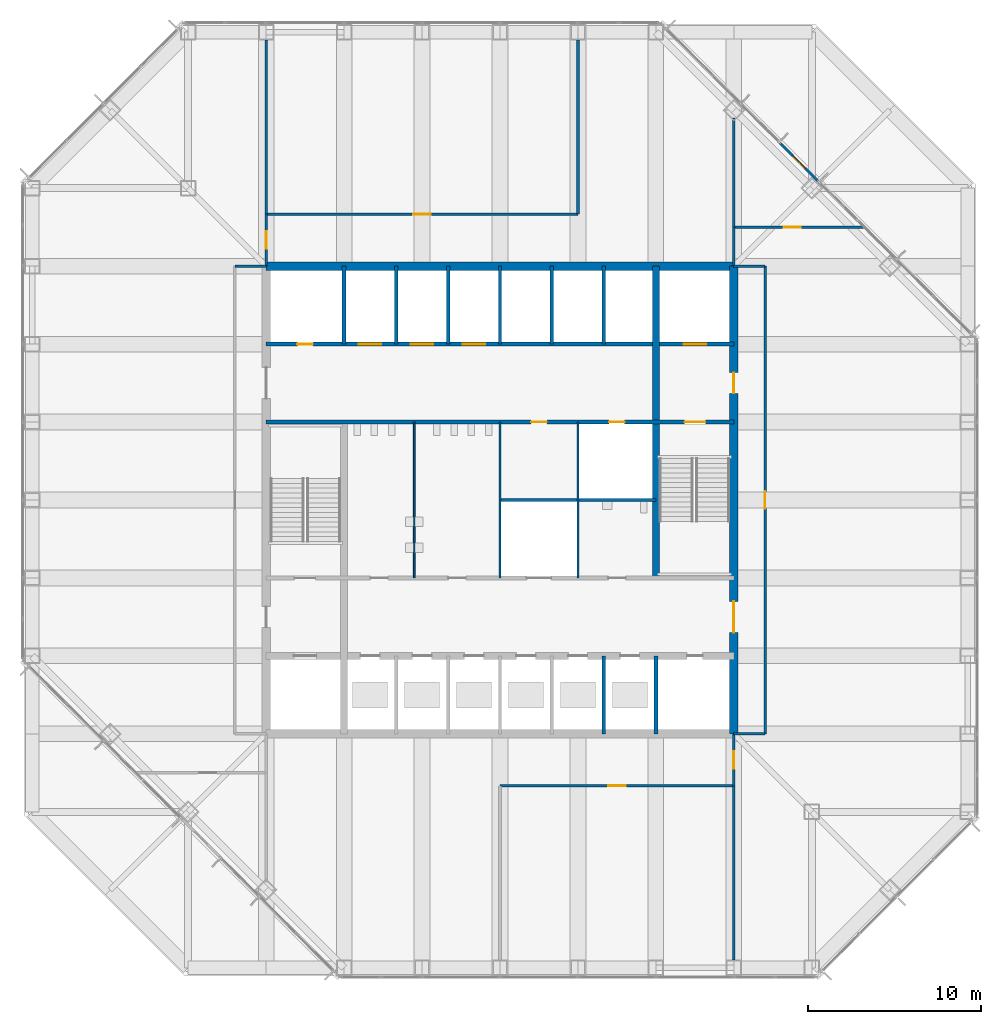
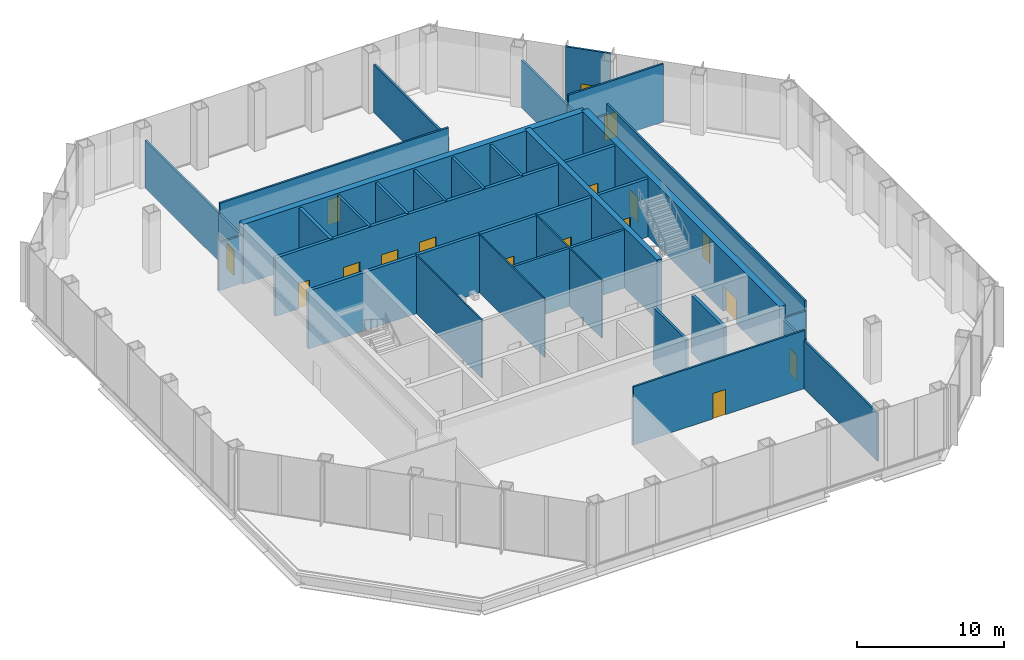
# One storey, part 8 of 12: 32 walls, 17 doors, 17 openings.
"""IFC4 building model written with IfcOpenShell, lengths in metres."""

from ifc_helpers import new_model, si_unit, direction, frame, frame_2d, origin, place, context, subcontext, project, spatial, rectangle, extrude, material, layer, layer_set, type_object, element, fill, save


model = new_model("IFC4")

# Units and contexts
model_context = context("Model", 3, precision=1e-05, world=origin(), true_north=direction((0.0, 1.0)))
body_context = subcontext(model_context, "Body", "Model", "MODEL_VIEW")
ifc_project = project(units=[si_unit("LENGTHUNIT", "METRE"), si_unit("AREAUNIT", "SQUARE_METRE"), si_unit("VOLUMEUNIT", "CUBIC_METRE"), si_unit("PLANEANGLEUNIT", "RADIAN"), si_unit("MASSUNIT", "GRAM", prefix="KILO")], contexts=[model_context])

# Site, building, storey
site_placement = place(None, origin())
site = spatial("IfcSite", under=ifc_project, at=site_placement, CompositionType="ELEMENT")
building_placement = place(site_placement, origin())
building = spatial("IfcBuilding", under=site, at=building_placement, Name="Corais Broadcast Tower", CompositionType="ELEMENT")
storey_placement = place(building_placement, frame((0.0, 0.0, 110.60009765625)))
storey = spatial("IfcBuildingStorey", under=building, at=storey_placement, Name="L24", CompositionType="ELEMENT", Elevation=110.60009765625)

# Walls
ifc_material_1 = material(Name="Concrete blockwork class A, grouted, two-hour", Category="masonry")
ifc_layer_1 = layer(ifc_material_1, 0.25)
ifc_layer_set_1 = layer_set([ifc_layer_1], Name="Concrete blockwork class A, grouted, two-hour")
wall_type_1 = type_object("IfcWallType", Name="Core lobby wall 250", PredefinedType="SOLIDWALL", material=ifc_layer_set_1)
for number, where, z_axis, x_axis, name in (
    (1, (18.0, 36.0, 0.0), (0.0, 0.0, 1.0), (0.0, 1.0, 0.0), "CL2 core shaft wall X18B L24"),
    (2, (36.0, 13.5, 0.0), (0.0, 0.0, 1.0), (0.0, 1.0, 0.0), "CL2 core shaft wall X36A L24"),
):
    element("IfcWall", number, at=place(storey_placement, frame(where, z_axis=z_axis, x_axis=x_axis)), inside=storey, type_object=wall_type_1, Name=name, PredefinedType="SOLIDWALL", context=body_context, shape_type="SweptSolid", body=[
        extrude(rectangle(XDim=4.5, YDim=0.25, at=frame_2d((2.25, 0.0))), origin(), (0.0, 0.0, 1.0), 4.83984375),
    ])

# Wall, openings, doors
wall_1_placement = place(storey_placement, frame((13.5, 31.5, 0.0), z_axis=(0.0, 0.0, 1.0), x_axis=(1.0, 0.0, 0.0)))
wall_1 = element("IfcWall", 3, at=wall_1_placement, inside=storey, type_object=wall_type_1, Name="CL2 core lobby wall Y315 L24", PredefinedType="SOLIDWALL", context=body_context, shape_type="SweptSolid", body=[
    extrude(rectangle(XDim=27.0, YDim=0.25, at=frame_2d((13.5, 0.0))), origin(), (0.0, 0.0, 1.0), 4.83984375),
])
opening_1_placement = place(wall_1_placement, frame((24.14990234375, 0.0, 0.0)))
opening_1 = element("IfcOpeningElement", 4, at=opening_1_placement, cuts=wall_1, Name="Opening FD1", PredefinedType="OPENING", context=body_context, shape_type="SweptSolid", body=[
    extrude(rectangle(XDim=1.199951171875, YDim=2.10009765625, at=frame_2d((0.60009765625, 1.050048828125))), frame((0.0, 0.135009765625, 0.0), z_axis=(0.0, -1.0, 0.0), x_axis=(1.0, 0.0, 0.0)), (0.0, 0.0, 1.0), 0.27001953125),
])
opening_2_placement = place(wall_1_placement, frame((15.300048828125, 0.0, 0.0)))
opening_2 = element("IfcOpeningElement", 5, at=opening_2_placement, cuts=wall_1, Name="Opening RD1", PredefinedType="OPENING", context=body_context, shape_type="SweptSolid", body=[
    extrude(rectangle(XDim=0.89990234375, YDim=2.10009765625, at=frame_2d((0.449951171875, 1.050048828125))), frame((0.0, 0.135009765625, 0.0), z_axis=(0.0, -1.0, 0.0), x_axis=(1.0, 0.0, 0.0)), (0.0, 0.0, 1.0), 0.27001953125),
])
opening_3_placement = place(wall_1_placement, frame((19.800048828125, 0.0, 0.0)))
opening_3 = element("IfcOpeningElement", 6, at=opening_3_placement, cuts=wall_1, Name="Opening RD1", PredefinedType="OPENING", context=body_context, shape_type="SweptSolid", body=[
    extrude(rectangle(XDim=0.89990234375, YDim=2.10009765625, at=frame_2d((0.449951171875, 1.050048828125))), frame((0.0, 0.135009765625, 0.0), z_axis=(0.0, -1.0, 0.0), x_axis=(1.0, 0.0, 0.0)), (0.0, 0.0, 1.0), 0.27001953125),
])
ifc_material_2 = material(Name="Steel fire door", Category="steel")
door_type_1 = type_object("IfcDoorType", Name="Fire door 1200x2100", OperationType="SINGLE_SWING_LEFT", PredefinedType="DOOR", material=ifc_material_2)
door_1_placement = place(opening_1_placement, origin())
door_1 = element("IfcDoor", 7, at=door_1_placement, inside=storey, type_object=door_type_1, Name="FD1 stair B door L24", OperationType="SINGLE_SWING_RIGHT", OverallHeight=2.10009765625, OverallWidth=1.199951171875, PredefinedType="DOOR", context=body_context, shape_type="SweptSolid", body=[
    extrude(rectangle(XDim=1.199951171875, YDim=2.10009765625, at=frame_2d((0.60009765625, 1.050048828125))), frame((0.0, 0.02490234375, 0.0), z_axis=(0.0, -1.0, 0.0), x_axis=(1.0, 0.0, 0.0)), (0.0, 0.0, 1.0), 0.050048828125),
])
fill(opening_1, door_1)
ifc_material_3 = material(Name="Steel fire door", Category="steel")
door_type_2 = type_object("IfcDoorType", Name="Riser door 900x2100", OperationType="SINGLE_SWING_LEFT", PredefinedType="DOOR", material=ifc_material_3)
door_2_placement = place(opening_2_placement, origin())
door_2 = element("IfcDoor", 8, at=door_2_placement, inside=storey, type_object=door_type_2, Name="RD1 vending room door L24", OperationType="SINGLE_SWING_RIGHT", OverallHeight=2.10009765625, OverallWidth=0.89990234375, PredefinedType="DOOR", context=body_context, shape_type="SweptSolid", body=[
    extrude(rectangle(XDim=0.89990234375, YDim=2.10009765625, at=frame_2d((0.449951171875, 1.050048828125))), frame((0.0, 0.02490234375, 0.0), z_axis=(0.0, -1.0, 0.0), x_axis=(1.0, 0.0, 0.0)), (0.0, 0.0, 1.0), 0.050048828125),
])
fill(opening_2, door_2)
door_3_placement = place(opening_3_placement, origin())
door_3 = element("IfcDoor", 9, at=door_3_placement, inside=storey, type_object=door_type_2, Name="RD1 riser door L24", OperationType="SINGLE_SWING_RIGHT", OverallHeight=2.10009765625, OverallWidth=0.89990234375, PredefinedType="DOOR", context=body_context, shape_type="SweptSolid", body=[
    extrude(rectangle(XDim=0.89990234375, YDim=2.10009765625, at=frame_2d((0.449951171875, 1.050048828125))), frame((0.0, 0.02490234375, 0.0), z_axis=(0.0, -1.0, 0.0), x_axis=(1.0, 0.0, 0.0)), (0.0, 0.0, 1.0), 0.050048828125),
])
fill(opening_3, door_3)

# Wall
ifc_material_4 = material(Name="Concrete C50/60", Category="concrete")
ifc_layer_2 = layer(ifc_material_4, 0.39990234375)
ifc_layer_set_2 = layer_set([ifc_layer_2], Name="Concrete C50/60")
wall_type_2 = type_object("IfcWallType", Name="Core wall 400", PredefinedType="SHEAR", material=ifc_layer_set_2)
wall_2_placement = place(storey_placement, frame((36.0, 22.5, 0.0), z_axis=(0.0, 0.0, 1.0), x_axis=(0.0, 1.0, 0.0)))
element("IfcWall", 10, at=wall_2_placement, inside=storey, type_object=wall_type_2, Name="CR400 core wall X36B L24", PredefinedType="SHEAR", context=body_context, shape_type="SweptSolid", body=[
    extrude(rectangle(XDim=18.0, YDim=0.39990234375, at=frame_2d((9.0, 0.0))), origin(), (0.0, 0.0, 1.0), 5.0),
])

# Wall, openings, doors
ifc_material_5 = material(Name="Concrete C50/60", Category="concrete")
ifc_layer_3 = layer(ifc_material_5, 0.5)
ifc_layer_set_3 = layer_set([ifc_layer_3], Name="Concrete C50/60")
wall_type_3 = type_object("IfcWallType", Name="Core wall 500", PredefinedType="SHEAR", material=ifc_layer_set_3)
wall_3_placement = place(storey_placement, frame((40.5, 13.5, 0.0), z_axis=(0.0, 0.0, 1.0), x_axis=(0.0, 1.0, 0.0)))
wall_3 = element("IfcWall", 11, at=wall_3_placement, inside=storey, type_object=wall_type_3, Name="CR500 core wall E L24", PredefinedType="SHEAR", context=body_context, shape_type="SweptSolid", body=[
    extrude(rectangle(XDim=27.0, YDim=0.5, at=frame_2d((13.5, 0.0))), origin(), (0.0, 0.0, 1.0), 5.0),
])
opening_4_placement = place(wall_3_placement, frame((5.85009765625, 0.0, 0.0)))
opening_4 = element("IfcOpeningElement", 12, at=opening_4_placement, cuts=wall_3, Name="Opening FD2", PredefinedType="OPENING", context=body_context, shape_type="SweptSolid", body=[
    extrude(rectangle(XDim=1.800048828125, YDim=2.10009765625, at=frame_2d((0.89990234375, 1.050048828125))), frame((0.0, 0.260009765625, 0.0), z_axis=(0.0, -1.0, 0.0), x_axis=(1.0, 0.0, 0.0)), (0.0, 0.0, 1.0), 0.52001953125),
])
opening_5_placement = place(wall_3_placement, frame((19.64990234375, 0.0, 0.0)))
opening_5 = element("IfcOpeningElement", 13, at=opening_5_placement, cuts=wall_3, Name="Opening FD1", PredefinedType="OPENING", context=body_context, shape_type="SweptSolid", body=[
    extrude(rectangle(XDim=1.199951171875, YDim=2.10009765625, at=frame_2d((0.60009765625, 1.050048828125))), frame((0.0, 0.260009765625, 0.0), z_axis=(0.0, -1.0, 0.0), x_axis=(1.0, 0.0, 0.0)), (0.0, 0.0, 1.0), 0.52001953125),
])
door_4_placement = place(opening_5_placement, origin())
door_4 = element("IfcDoor", 14, at=door_4_placement, inside=storey, type_object=door_type_1, Name="FD1 fire lobby B door L24", OperationType="SINGLE_SWING_RIGHT", OverallHeight=2.10009765625, OverallWidth=1.199951171875, PredefinedType="DOOR", context=body_context, shape_type="SweptSolid", body=[
    extrude(rectangle(XDim=1.199951171875, YDim=2.10009765625, at=frame_2d((0.60009765625, 1.050048828125))), frame((0.0, 0.02490234375, 0.0), z_axis=(0.0, -1.0, 0.0), x_axis=(1.0, 0.0, 0.0)), (0.0, 0.0, 1.0), 0.050048828125),
])
fill(opening_5, door_4)
ifc_material_6 = material(Name="Steel fire door", Category="steel")
door_type_3 = type_object("IfcDoorType", Name="Fire door pair 1800x2100", OperationType="DOUBLE_DOOR_SINGLE_SWING", PredefinedType="DOOR", material=ifc_material_6)
door_5_placement = place(opening_4_placement, origin())
door_5 = element("IfcDoor", 15, at=door_5_placement, inside=storey, type_object=door_type_3, Name="FD2 lift lobby door L24", OperationType="SINGLE_SWING_LEFT", OverallHeight=2.10009765625, OverallWidth=1.800048828125, PredefinedType="DOOR", context=body_context, shape_type="SweptSolid", body=[
    extrude(rectangle(XDim=1.800048828125, YDim=2.10009765625, at=frame_2d((0.89990234375, 1.050048828125))), frame((0.0, 0.02490234375, 0.0), z_axis=(0.0, -1.0, 0.0), x_axis=(1.0, 0.0, 0.0)), (0.0, 0.0, 1.0), 0.050048828125),
])
fill(opening_4, door_5)

# Wall
wall_4_placement = place(storey_placement, frame((40.5, 40.5, 0.0), z_axis=(0.0, 0.0, 1.0), x_axis=(-1.0, 0.0, 0.0)))
element("IfcWall", 16, at=wall_4_placement, inside=storey, type_object=wall_type_3, Name="CR500 core wall N L24", PredefinedType="SHEAR", context=body_context, shape_type="SweptSolid", body=[
    extrude(rectangle(XDim=27.0, YDim=0.5, at=frame_2d((13.5, 0.0))), origin(), (0.0, 0.0, 1.0), 5.0),
])

# Wall, openings, doors
ifc_material_7 = material(Name="Concrete blockwork class A, grouted, four-hour", Category="masonry")
ifc_layer_4 = layer(ifc_material_7, 0.25)
ifc_layer_set_4 = layer_set([ifc_layer_4], Name="Concrete blockwork class A, grouted, four-hour")
wall_type_4 = type_object("IfcWallType", Name="Emergency lift shaft wall 250", PredefinedType="SOLIDWALL", material=ifc_layer_set_4)
wall_5_placement = place(storey_placement, frame((13.5, 36.0, 0.0), z_axis=(0.0, 0.0, 1.0), x_axis=(1.0, 0.0, 0.0)))
wall_5 = element("IfcWall", 17, at=wall_5_placement, inside=storey, type_object=wall_type_4, Name="LS2 core lobby wall Y36 L24", PredefinedType="SOLIDWALL", context=body_context, shape_type="SweptSolid", body=[
    extrude(rectangle(XDim=27.0, YDim=0.25, at=frame_2d((13.5, 0.0))), origin(), (0.0, 0.0, 1.0), 4.83984375),
])
opening_6_placement = place(wall_5_placement, frame((1.800048828125, 0.0, 0.0)))
opening_6 = element("IfcOpeningElement", 18, at=opening_6_placement, cuts=wall_5, Name="Opening RD1", PredefinedType="OPENING", context=body_context, shape_type="SweptSolid", body=[
    extrude(rectangle(XDim=0.89990234375, YDim=2.10009765625, at=frame_2d((0.449951171875, 1.050048828125))), frame((0.0, 0.135009765625, 0.0), z_axis=(0.0, -1.0, 0.0), x_axis=(1.0, 0.0, 0.0)), (0.0, 0.0, 1.0), 0.27001953125),
])
opening_7_placement = place(wall_5_placement, frame((5.35009765625, 0.0, 0.0)))
opening_7 = element("IfcOpeningElement", 19, at=opening_7_placement, cuts=wall_5, Name="Opening LD2", PredefinedType="OPENING", context=body_context, shape_type="SweptSolid", body=[
    extrude(rectangle(XDim=1.300048828125, YDim=2.199951171875, at=frame_2d((0.64990234375, 1.10009765625))), frame((0.0, 0.135009765625, 0.0), z_axis=(0.0, -1.0, 0.0), x_axis=(1.0, 0.0, 0.0)), (0.0, 0.0, 1.0), 0.27001953125),
])
opening_8_placement = place(wall_5_placement, frame((8.35009765625, 0.0, 0.0)))
opening_8 = element("IfcOpeningElement", 20, at=opening_8_placement, cuts=wall_5, Name="Opening LD2", PredefinedType="OPENING", context=body_context, shape_type="SweptSolid", body=[
    extrude(rectangle(XDim=1.300048828125, YDim=2.199951171875, at=frame_2d((0.64990234375, 1.10009765625))), frame((0.0, 0.135009765625, 0.0), z_axis=(0.0, -1.0, 0.0), x_axis=(1.0, 0.0, 0.0)), (0.0, 0.0, 1.0), 0.27001953125),
])
opening_9_placement = place(wall_5_placement, frame((11.35009765625, 0.0, 0.0)))
opening_9 = element("IfcOpeningElement", 21, at=opening_9_placement, cuts=wall_5, Name="Opening LD2", PredefinedType="OPENING", context=body_context, shape_type="SweptSolid", body=[
    extrude(rectangle(XDim=1.300048828125, YDim=2.199951171875, at=frame_2d((0.64990234375, 1.10009765625))), frame((0.0, 0.135009765625, 0.0), z_axis=(0.0, -1.0, 0.0), x_axis=(1.0, 0.0, 0.0)), (0.0, 0.0, 1.0), 0.27001953125),
])
opening_10_placement = place(wall_5_placement, frame((24.10009765625, 0.0, 0.0)))
opening_10 = element("IfcOpeningElement", 22, at=opening_10_placement, cuts=wall_5, Name="Opening LD2", PredefinedType="OPENING", context=body_context, shape_type="SweptSolid", body=[
    extrude(rectangle(XDim=1.300048828125, YDim=2.199951171875, at=frame_2d((0.64990234375, 1.10009765625))), frame((0.0, 0.135009765625, 0.0), z_axis=(0.0, -1.0, 0.0), x_axis=(1.0, 0.0, 0.0)), (0.0, 0.0, 1.0), 0.27001953125),
])
ifc_material_8 = material(Name="Stainless steel lift door", Category="steel")
door_type_4 = type_object("IfcDoorType", Name="Lift landing door 1300x2200", OperationType="SLIDING_TO_LEFT", PredefinedType="DOOR", material=ifc_material_8)
door_6_placement = place(opening_7_placement, origin())
door_6 = element("IfcDoor", 23, at=door_6_placement, inside=storey, type_object=door_type_4, Name="LD2 SH1 landing door L24", OperationType="SLIDING_TO_LEFT", OverallHeight=2.199951171875, OverallWidth=1.300048828125, PredefinedType="DOOR", context=body_context, shape_type="SweptSolid", body=[
    extrude(rectangle(XDim=1.300048828125, YDim=2.199951171875, at=frame_2d((0.64990234375, 1.10009765625))), frame((0.0, 0.02490234375, 0.0), z_axis=(0.0, -1.0, 0.0), x_axis=(1.0, 0.0, 0.0)), (0.0, 0.0, 1.0), 0.050048828125),
])
fill(opening_7, door_6)
door_7_placement = place(opening_8_placement, origin())
door_7 = element("IfcDoor", 24, at=door_7_placement, inside=storey, type_object=door_type_4, Name="LD2 SH2 landing door L24", OperationType="SLIDING_TO_LEFT", OverallHeight=2.199951171875, OverallWidth=1.300048828125, PredefinedType="DOOR", context=body_context, shape_type="SweptSolid", body=[
    extrude(rectangle(XDim=1.300048828125, YDim=2.199951171875, at=frame_2d((0.64990234375, 1.10009765625))), frame((0.0, 0.02490234375, 0.0), z_axis=(0.0, -1.0, 0.0), x_axis=(1.0, 0.0, 0.0)), (0.0, 0.0, 1.0), 0.050048828125),
])
fill(opening_8, door_7)
door_8_placement = place(opening_9_placement, origin())
door_8 = element("IfcDoor", 25, at=door_8_placement, inside=storey, type_object=door_type_4, Name="LD2 SH3 landing door L24", OperationType="SLIDING_TO_LEFT", OverallHeight=2.199951171875, OverallWidth=1.300048828125, PredefinedType="DOOR", context=body_context, shape_type="SweptSolid", body=[
    extrude(rectangle(XDim=1.300048828125, YDim=2.199951171875, at=frame_2d((0.64990234375, 1.10009765625))), frame((0.0, 0.02490234375, 0.0), z_axis=(0.0, -1.0, 0.0), x_axis=(1.0, 0.0, 0.0)), (0.0, 0.0, 1.0), 0.050048828125),
])
fill(opening_9, door_8)
door_9_placement = place(opening_10_placement, origin())
door_9 = element("IfcDoor", 26, at=door_9_placement, inside=storey, type_object=door_type_4, Name="LD2 FL2 landing door L24", OperationType="SLIDING_TO_LEFT", OverallHeight=2.199951171875, OverallWidth=1.300048828125, PredefinedType="DOOR", context=body_context, shape_type="SweptSolid", body=[
    extrude(rectangle(XDim=1.300048828125, YDim=2.199951171875, at=frame_2d((0.64990234375, 1.10009765625))), frame((0.0, 0.02490234375, 0.0), z_axis=(0.0, -1.0, 0.0), x_axis=(1.0, 0.0, 0.0)), (0.0, 0.0, 1.0), 0.050048828125),
])
fill(opening_10, door_9)
door_10_placement = place(opening_6_placement, origin())
door_10 = element("IfcDoor", 27, at=door_10_placement, inside=storey, type_object=door_type_2, Name="RD1 riser door L24", OperationType="SINGLE_SWING_LEFT", OverallHeight=2.10009765625, OverallWidth=0.89990234375, PredefinedType="DOOR", context=body_context, shape_type="SweptSolid", body=[
    extrude(rectangle(XDim=0.89990234375, YDim=2.10009765625, at=frame_2d((0.449951171875, 1.050048828125))), frame((0.0, 0.02490234375, 0.0), z_axis=(0.0, -1.0, 0.0), x_axis=(1.0, 0.0, 0.0)), (0.0, 0.0, 1.0), 0.050048828125),
])
fill(opening_6, door_10)

# Wall, opening, door
ifc_material_9 = material(Name="Clear laminated glass in stainless steel frame", Category="steel")
ifc_layer_5 = layer(ifc_material_9, 0.14990234375)
ifc_layer_set_5 = layer_set([ifc_layer_5], Name="Clear laminated glass in stainless steel frame")
wall_type_5 = type_object("IfcWallType", Name="Glazed entrance screen 150", PredefinedType="USERDEFINED", material=ifc_layer_set_5)
wall_6_placement = place(storey_placement, frame((43.138916015625, 47.638916015625, 0.0), z_axis=(0.0, 0.0, 1.0), x_axis=(0.707106781187, -0.707106781187, 0.0)))
wall_6 = element("IfcWall", 28, at=wall_6_placement, inside=storey, type_object=wall_type_5, Name="ES1 roof access screen L24", ObjectType="ENTRANCE SCREEN", PredefinedType="USERDEFINED", context=body_context, shape_type="SweptSolid", body=[
    extrude(rectangle(XDim=3.181884765625, YDim=0.14990234375, at=frame_2d((1.5908203125, 0.0))), origin(), (0.0, 0.0, 1.0), 5.0),
])
opening_11_placement = place(wall_6_placement, frame((1.091064453125, 0.0, 0.0)))
opening_11 = element("IfcOpeningElement", 29, at=opening_11_placement, cuts=wall_6, Name="Opening XD1", PredefinedType="OPENING", context=body_context, shape_type="SweptSolid", body=[
    extrude(rectangle(XDim=1.0, YDim=2.10009765625, at=frame_2d((0.5, 1.050048828125))), frame((0.0, 0.0849609375, 0.0), z_axis=(0.0, -1.0, 0.0), x_axis=(1.0, 0.0, 0.0)), (0.0, 0.0, 1.0), 0.169921875),
])
ifc_material_10 = material(Name="Steel door", Category="steel")
door_type_5 = type_object("IfcDoorType", Name="External single door 1000x2100", OperationType="SINGLE_SWING_LEFT", PredefinedType="DOOR", material=ifc_material_10)
door_11_placement = place(opening_11_placement, origin())
door_11 = element("IfcDoor", 30, at=door_11_placement, inside=storey, type_object=door_type_5, Name="XD1 roof access door L24, maintenance access only", OperationType="SINGLE_SWING_RIGHT", OverallHeight=2.10009765625, OverallWidth=1.0, PredefinedType="DOOR", context=body_context, shape_type="SweptSolid", body=[
    extrude(rectangle(XDim=1.0, YDim=2.10009765625, at=frame_2d((0.5, 1.050048828125))), frame((0.0, 0.02490234375, 0.0), z_axis=(0.0, -1.0, 0.0), x_axis=(1.0, 0.0, 0.0)), (0.0, 0.0, 1.0), 0.050048828125),
])
fill(opening_11, door_11)

ifc_material_11 = material(Name="Gypsum board on steel studs", Category="steel")
ifc_layer_6 = layer(ifc_material_11, 0.14990234375)
ifc_layer_set_6 = layer_set([ifc_layer_6], Name="Gypsum board on steel studs")
wall_type_6 = type_object("IfcWallType", Name="Partition 150", PredefinedType="PARTITIONING", material=ifc_layer_set_6)
wall_7_placement = place(storey_placement, frame((42.300048828125, 13.5, 0.0), z_axis=(0.0, 0.0, 1.0), x_axis=(0.0, 1.0, 0.0)))
wall_7 = element("IfcWall", 31, at=wall_7_placement, inside=storey, type_object=wall_type_6, Name="IW3 corridor wall L24", PredefinedType="PARTITIONING", context=body_context, shape_type="SweptSolid", body=[
    extrude(rectangle(XDim=27.0, YDim=0.14990234375, at=frame_2d((13.5, 0.0))), origin(), (0.0, 0.0, 1.0), 4.83984375),
])
opening_12_placement = place(wall_7_placement, frame((13.0, 0.0, 0.0)))
opening_12 = element("IfcOpeningElement", 32, at=opening_12_placement, cuts=wall_7, Name="Opening D1", PredefinedType="OPENING", context=body_context, shape_type="SweptSolid", body=[
    extrude(rectangle(XDim=1.0, YDim=2.10009765625, at=frame_2d((0.5, 1.050048828125))), frame((0.0, 0.0849609375, 0.0), z_axis=(0.0, -1.0, 0.0), x_axis=(1.0, 0.0, 0.0)), (0.0, 0.0, 1.0), 0.169921875),
])
ifc_material_12 = material(Name="Timber door", Category="wood")
door_type_6 = type_object("IfcDoorType", Name="Single door 1000x2100", OperationType="SINGLE_SWING_LEFT", PredefinedType="DOOR", material=ifc_material_12)
door_12_placement = place(opening_12_placement, origin())
door_12 = element("IfcDoor", 33, at=door_12_placement, inside=storey, type_object=door_type_6, Name="D1 workplace door L24", OperationType="SINGLE_SWING_LEFT", OverallHeight=2.10009765625, OverallWidth=1.0, PredefinedType="DOOR", context=body_context, shape_type="SweptSolid", body=[
    extrude(rectangle(XDim=1.0, YDim=2.10009765625, at=frame_2d((0.5, 1.050048828125))), frame((0.0, 0.02490234375, 0.0), z_axis=(0.0, -1.0, 0.0), x_axis=(1.0, 0.0, 0.0)), (0.0, 0.0, 1.0), 0.050048828125),
])
fill(opening_12, door_12)

# Walls
for number, where, z_axis, x_axis, name in (
    (34, (13.510009765625, 40.5, 0.0), (0.0, 0.0, 1.0), (-1.0, 0.0, 0.0), "IW3 corridor wall L24"),
    (35, (40.489990234375, 13.5, 0.0), (0.0, 0.0, 1.0), (1.0, 0.0, 0.0), "IW3 corridor wall L24"),
    (36, (42.300048828125, 40.5, 0.0), (0.0, 0.0, 1.0), (-1.0, 0.0, 0.0), "IW3 corridor wall L24"),
):
    element("IfcWall", number, at=place(storey_placement, frame(where, z_axis=z_axis, x_axis=x_axis)), inside=storey, type_object=wall_type_6, Name=name, PredefinedType="PARTITIONING", context=body_context, shape_type="SweptSolid", body=[
        extrude(rectangle(XDim=1.81005859375, YDim=0.14990234375, at=frame_2d((0.905029296875, 0.0))), origin(), (0.0, 0.0, 1.0), 3.989013671875),
    ])
wall_8_placement = place(storey_placement, frame((40.5, 0.4599609375, 0.0), z_axis=(0.0, 0.0, 1.0), x_axis=(0.0, 1.0, 0.0)))
element("IfcWall", 37, at=wall_8_placement, inside=storey, type_object=wall_type_6, Name="IW3 partition L24", PredefinedType="PARTITIONING", context=body_context, shape_type="SweptSolid", body=[
    extrude(rectangle(XDim=10.0400390625, YDim=0.14990234375, at=frame_2d((5.02001953125, 0.0))), origin(), (0.0, 0.0, 1.0), 3.989013671875),
])

# Wall, opening, door
wall_9_placement = place(storey_placement, frame((40.5, 10.5, 0.0), z_axis=(0.0, 0.0, 1.0), x_axis=(-1.0, 0.0, 0.0)))
wall_9 = element("IfcWall", 38, at=wall_9_placement, inside=storey, type_object=wall_type_6, Name="IW3 partition L24", PredefinedType="PARTITIONING", context=body_context, shape_type="SweptSolid", body=[
    extrude(rectangle(XDim=13.5, YDim=0.14990234375, at=frame_2d((6.75, 0.0))), origin(), (0.0, 0.0, 1.0), 4.83984375),
])
opening_13_placement = place(wall_9_placement, frame((6.25, 0.0, 0.0)))
opening_13 = element("IfcOpeningElement", 39, at=opening_13_placement, cuts=wall_9, Name="Opening D1", PredefinedType="OPENING", context=body_context, shape_type="SweptSolid", body=[
    extrude(rectangle(XDim=1.0, YDim=2.10009765625, at=frame_2d((0.5, 1.050048828125))), frame((0.0, 0.0849609375, 0.0), z_axis=(0.0, -1.0, 0.0), x_axis=(1.0, 0.0, 0.0)), (0.0, 0.0, 1.0), 0.169921875),
])
door_13_placement = place(opening_13_placement, origin())
door_13 = element("IfcDoor", 40, at=door_13_placement, inside=storey, type_object=door_type_6, Name="D1 Sky cafe door", OperationType="SINGLE_SWING_LEFT", OverallHeight=2.10009765625, OverallWidth=1.0, PredefinedType="DOOR", context=body_context, shape_type="SweptSolid", body=[
    extrude(rectangle(XDim=1.0, YDim=2.10009765625, at=frame_2d((0.5, 1.050048828125))), frame((0.0, 0.02490234375, 0.0), z_axis=(0.0, -1.0, 0.0), x_axis=(1.0, 0.0, 0.0)), (0.0, 0.0, 1.0), 0.050048828125),
])
fill(opening_13, door_13)

wall_10_placement = place(storey_placement, frame((13.5, 43.5, 0.0), z_axis=(0.0, 0.0, 1.0), x_axis=(1.0, 0.0, 0.0)))
wall_10 = element("IfcWall", 41, at=wall_10_placement, inside=storey, type_object=wall_type_6, Name="IW3 partition L24", PredefinedType="PARTITIONING", context=body_context, shape_type="SweptSolid", body=[
    extrude(rectangle(XDim=18.0, YDim=0.14990234375, at=frame_2d((9.0, 0.0))), origin(), (0.0, 0.0, 1.0), 4.83984375),
])
opening_14_placement = place(wall_10_placement, frame((8.5, 0.0, 0.0)))
opening_14 = element("IfcOpeningElement", 42, at=opening_14_placement, cuts=wall_10, Name="Opening D1", PredefinedType="OPENING", context=body_context, shape_type="SweptSolid", body=[
    extrude(rectangle(XDim=1.0, YDim=2.10009765625, at=frame_2d((0.5, 1.050048828125))), frame((0.0, 0.0849609375, 0.0), z_axis=(0.0, -1.0, 0.0), x_axis=(1.0, 0.0, 0.0)), (0.0, 0.0, 1.0), 0.169921875),
])
door_14_placement = place(opening_14_placement, origin())
door_14 = element("IfcDoor", 43, at=door_14_placement, inside=storey, type_object=door_type_6, Name="D1 Business lounge door", OperationType="SINGLE_SWING_LEFT", OverallHeight=2.10009765625, OverallWidth=1.0, PredefinedType="DOOR", context=body_context, shape_type="SweptSolid", body=[
    extrude(rectangle(XDim=1.0, YDim=2.10009765625, at=frame_2d((0.5, 1.050048828125))), frame((0.0, 0.02490234375, 0.0), z_axis=(0.0, -1.0, 0.0), x_axis=(1.0, 0.0, 0.0)), (0.0, 0.0, 1.0), 0.050048828125),
])
fill(opening_14, door_14)

# Walls
for number, where, z_axis, x_axis, name in (
    (44, (31.5, 43.5, 0.0), (0.0, 0.0, 1.0), (0.0, 1.0, 0.0), "IW3 partition L24"),
    (45, (13.5, 53.5400390625, 0.0), (0.0, 0.0, 1.0), (0.0, -1.0, 0.0), "IW3 partition L24"),
):
    element("IfcWall", number, at=place(storey_placement, frame(where, z_axis=z_axis, x_axis=x_axis)), inside=storey, type_object=wall_type_6, Name=name, PredefinedType="PARTITIONING", context=body_context, shape_type="SweptSolid", body=[
        extrude(rectangle(XDim=10.0400390625, YDim=0.14990234375, at=frame_2d((5.02001953125, 0.0))), origin(), (0.0, 0.0, 1.0), 3.989013671875),
    ])

# Wall, opening, door
wall_11_placement = place(storey_placement, frame((40.5, 42.75, 0.0), z_axis=(0.0, 0.0, 1.0), x_axis=(1.0, 0.0, 0.0)))
wall_11 = element("IfcWall", 46, at=wall_11_placement, inside=storey, type_object=wall_type_6, Name="IW3 partition L24", PredefinedType="PARTITIONING", context=body_context, shape_type="SweptSolid", body=[
    extrude(rectangle(XDim=7.4853515625, YDim=0.14990234375, at=frame_2d((3.74267578125, 0.0))), origin(), (0.0, 0.0, 1.0), 4.83984375),
])
opening_15_placement = place(wall_11_placement, frame((2.867919921875, 0.0, 0.0)))
opening_15 = element("IfcOpeningElement", 47, at=opening_15_placement, cuts=wall_11, Name="Opening D1", PredefinedType="OPENING", context=body_context, shape_type="SweptSolid", body=[
    extrude(rectangle(XDim=1.0, YDim=2.10009765625, at=frame_2d((0.5, 1.050048828125))), frame((0.0, 0.0849609375, 0.0), z_axis=(0.0, -1.0, 0.0), x_axis=(1.0, 0.0, 0.0)), (0.0, 0.0, 1.0), 0.169921875),
])
door_15_placement = place(opening_15_placement, origin())
door_15 = element("IfcDoor", 48, at=door_15_placement, inside=storey, type_object=door_type_6, Name="D1 Roof access room door", OperationType="SINGLE_SWING_LEFT", OverallHeight=2.10009765625, OverallWidth=1.0, PredefinedType="DOOR", context=body_context, shape_type="SweptSolid", body=[
    extrude(rectangle(XDim=1.0, YDim=2.10009765625, at=frame_2d((0.5, 1.050048828125))), frame((0.0, 0.02490234375, 0.0), z_axis=(0.0, -1.0, 0.0), x_axis=(1.0, 0.0, 0.0)), (0.0, 0.0, 1.0), 0.050048828125),
])
fill(opening_15, door_15)

# Walls
wall_12_placement = place(storey_placement, frame((40.5, 49.0400390625, 0.0), z_axis=(0.0, 0.0, 1.0), x_axis=(0.0, -1.0, 0.0)))
element("IfcWall", 49, at=wall_12_placement, inside=storey, type_object=wall_type_6, Name="IW3 partition L24", PredefinedType="PARTITIONING", context=body_context, shape_type="SweptSolid", body=[
    extrude(rectangle(XDim=6.2900390625, YDim=0.14990234375, at=frame_2d((3.14501953125, 0.0))), origin(), (0.0, 0.0, 1.0), 3.989013671875),
])
wall_13_placement = place(storey_placement, frame((40.5, 42.77001953125, 0.0), z_axis=(0.0, 0.0, 1.0), x_axis=(0.0, -1.0, 0.0)))
element("IfcWall", 50, at=wall_13_placement, inside=storey, type_object=wall_type_6, Name="IW3 partition L24", PredefinedType="PARTITIONING", context=body_context, shape_type="SweptSolid", body=[
    extrude(rectangle(XDim=2.27001953125, YDim=0.14990234375, at=frame_2d((1.135009765625, 0.0))), origin(), (0.0, 0.0, 1.0), 3.989013671875),
])

# Wall, opening, door
wall_14_placement = place(storey_placement, frame((13.5, 40.5, 0.0), z_axis=(0.0, 0.0, 1.0), x_axis=(0.0, 1.0, 0.0)))
wall_14 = element("IfcWall", 51, at=wall_14_placement, inside=storey, type_object=wall_type_6, Name="IW3 partition L24", PredefinedType="PARTITIONING", context=body_context, shape_type="SweptSolid", body=[
    extrude(rectangle(XDim=3.0, YDim=0.14990234375, at=frame_2d((1.5, 0.0))), origin(), (0.0, 0.0, 1.0), 3.989013671875),
])
opening_16_placement = place(wall_14_placement, frame((1.0, 0.0, 0.0)))
opening_16 = element("IfcOpeningElement", 52, at=opening_16_placement, cuts=wall_14, Name="Opening D1", PredefinedType="OPENING", context=body_context, shape_type="SweptSolid", body=[
    extrude(rectangle(XDim=1.0, YDim=2.10009765625, at=frame_2d((0.5, 1.050048828125))), frame((0.0, 0.0849609375, 0.0), z_axis=(0.0, -1.0, 0.0), x_axis=(1.0, 0.0, 0.0)), (0.0, 0.0, 1.0), 0.169921875),
])
door_16_placement = place(opening_16_placement, origin())
door_16 = element("IfcDoor", 53, at=door_16_placement, inside=storey, type_object=door_type_6, Name="D1 team room door L24", OperationType="SINGLE_SWING_LEFT", OverallHeight=2.10009765625, OverallWidth=1.0, PredefinedType="DOOR", context=body_context, shape_type="SweptSolid", body=[
    extrude(rectangle(XDim=1.0, YDim=2.10009765625, at=frame_2d((0.5, 1.050048828125))), frame((0.0, 0.02490234375, 0.0), z_axis=(0.0, -1.0, 0.0), x_axis=(1.0, 0.0, 0.0)), (0.0, 0.0, 1.0), 0.050048828125),
])
fill(opening_16, door_16)

wall_15_placement = place(storey_placement, frame((40.5, 10.47998046875, 0.0), z_axis=(0.0, 0.0, 1.0), x_axis=(0.0, 1.0, 0.0)))
wall_15 = element("IfcWall", 54, at=wall_15_placement, inside=storey, type_object=wall_type_6, Name="IW3 partition L24", PredefinedType="PARTITIONING", context=body_context, shape_type="SweptSolid", body=[
    extrude(rectangle(XDim=3.02001953125, YDim=0.14990234375, at=frame_2d((1.510009765625, 0.0))), origin(), (0.0, 0.0, 1.0), 3.989013671875),
])
opening_17_placement = place(wall_15_placement, frame((1.010009765625, 0.0, 0.0)))
opening_17 = element("IfcOpeningElement", 55, at=opening_17_placement, cuts=wall_15, Name="Opening D1", PredefinedType="OPENING", context=body_context, shape_type="SweptSolid", body=[
    extrude(rectangle(XDim=1.0, YDim=2.10009765625, at=frame_2d((0.5, 1.050048828125))), frame((0.0, 0.0849609375, 0.0), z_axis=(0.0, -1.0, 0.0), x_axis=(1.0, 0.0, 0.0)), (0.0, 0.0, 1.0), 0.169921875),
])
door_17_placement = place(opening_17_placement, origin())
door_17 = element("IfcDoor", 56, at=door_17_placement, inside=storey, type_object=door_type_6, Name="D1 team room door L24", OperationType="SINGLE_SWING_LEFT", OverallHeight=2.10009765625, OverallWidth=1.0, PredefinedType="DOOR", context=body_context, shape_type="SweptSolid", body=[
    extrude(rectangle(XDim=1.0, YDim=2.10009765625, at=frame_2d((0.5, 1.050048828125))), frame((0.0, 0.02490234375, 0.0), z_axis=(0.0, -1.0, 0.0), x_axis=(1.0, 0.0, 0.0)), (0.0, 0.0, 1.0), 0.050048828125),
])
fill(opening_17, door_17)

# Walls
ifc_material_13 = material(Name="Concrete blockwork class A, grouted, two-hour", Category="masonry")
ifc_layer_7 = layer(ifc_material_13, 0.199951171875)
ifc_layer_set_7 = layer_set([ifc_layer_7], Name="Concrete blockwork class A, grouted, two-hour")
wall_type_7 = type_object("IfcWallType", Name="Shaft wall 200", PredefinedType="PARTITIONING", material=ifc_layer_set_7)
for number, where, z_axis, x_axis, name in (
    (57, (21.0, 36.0, 0.0), (0.0, 0.0, 1.0), (0.0, 1.0, 0.0), "IW1 shaft wall L24"),
    (58, (24.0, 36.0, 0.0), (0.0, 0.0, 1.0), (0.0, 1.0, 0.0), "IW1 shaft wall L24"),
    (59, (27.0, 36.0, 0.0), (0.0, 0.0, 1.0), (0.0, 1.0, 0.0), "IW1 shaft wall L24"),
    (60, (30.0, 36.0, 0.0), (0.0, 0.0, 1.0), (0.0, 1.0, 0.0), "IW1 shaft wall L24"),
    (61, (33.0, 13.5, 0.0), (0.0, 0.0, 1.0), (0.0, 1.0, 0.0), "IW1 shaft wall L24"),
    (62, (33.0, 36.0, 0.0), (0.0, 0.0, 1.0), (0.0, 1.0, 0.0), "IW1 shaft wall L24"),
):
    element("IfcWall", number, at=place(storey_placement, frame(where, z_axis=z_axis, x_axis=x_axis)), inside=storey, type_object=wall_type_7, Name=name, PredefinedType="PARTITIONING", context=body_context, shape_type="SweptSolid", body=[
        extrude(rectangle(XDim=4.5, YDim=0.199951171875, at=frame_2d((2.25, 0.0))), origin(), (0.0, 0.0, 1.0), 4.83984375),
    ])
wall_16_placement = place(storey_placement, frame((27.0, 27.0, 0.0), z_axis=(0.0, 0.0, 1.0), x_axis=(1.0, 0.0, 0.0)))
element("IfcWall", 63, at=wall_16_placement, inside=storey, type_object=wall_type_7, Name="IW1 shaft wall L24", PredefinedType="PARTITIONING", context=body_context, shape_type="SweptSolid", body=[
    extrude(rectangle(XDim=9.0, YDim=0.199951171875, at=frame_2d((4.5, 0.0))), origin(), (0.0, 0.0, 1.0), 4.83984375),
])
ifc_material_14 = material(Name="Dense concrete blockwork class A, tiled both faces", Category="masonry")
ifc_layer_8 = layer(ifc_material_14, 0.10009765625)
ifc_layer_set_8 = layer_set([ifc_layer_8], Name="Dense concrete blockwork class A, tiled both faces")
wall_type_8 = type_object("IfcWallType", Name="Toilet wall 100", PredefinedType="PLUMBINGWALL", material=ifc_layer_set_8)
for number, where, z_axis, x_axis, name in (
    (64, (22.050048828125, 22.5, 0.0), (0.0, 0.0, 1.0), (0.0, 1.0, 0.0), "IW2 toilet wall L24"),
    (65, (27.0, 22.5, 0.0), (0.0, 0.0, 1.0), (0.0, 1.0, 0.0), "IW2 toilet wall L24"),
    (66, (31.5, 22.5, 0.0), (0.0, 0.0, 1.0), (0.0, 1.0, 0.0), "IW2 toilet wall L24"),
):
    element("IfcWall", number, at=place(storey_placement, frame(where, z_axis=z_axis, x_axis=x_axis)), inside=storey, type_object=wall_type_8, Name=name, PredefinedType="PLUMBINGWALL", context=body_context, shape_type="SweptSolid", body=[
        extrude(rectangle(XDim=9.0, YDim=0.10009765625, at=frame_2d((4.5, 0.0))), origin(), (0.0, 0.0, 1.0), 4.83984375),
    ])

save(model, "model.ifc")
